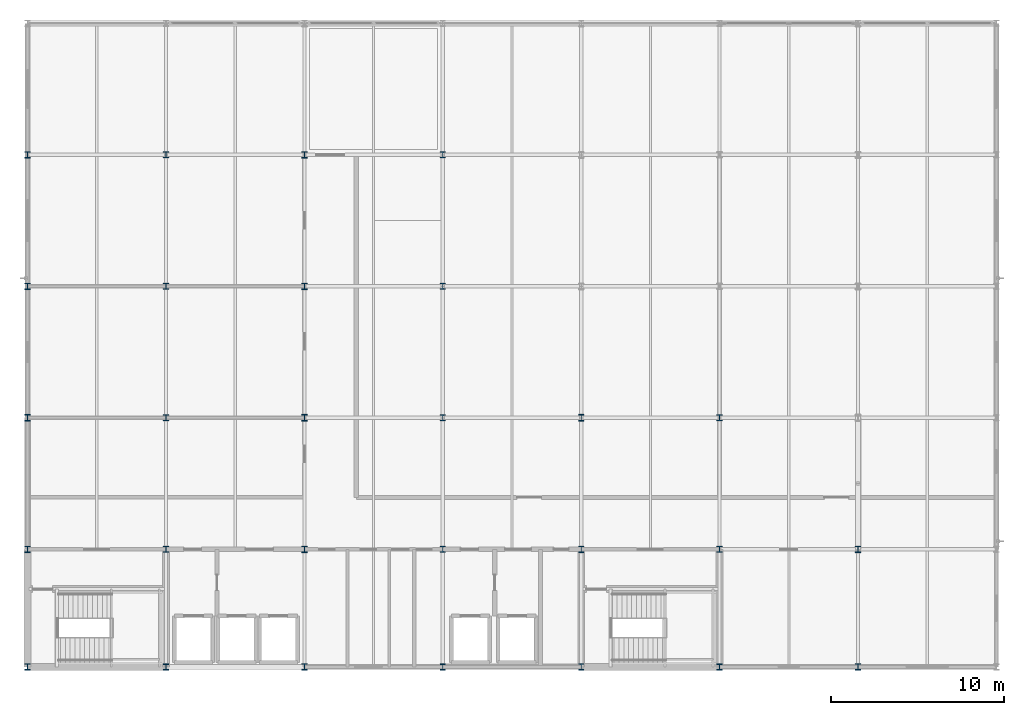
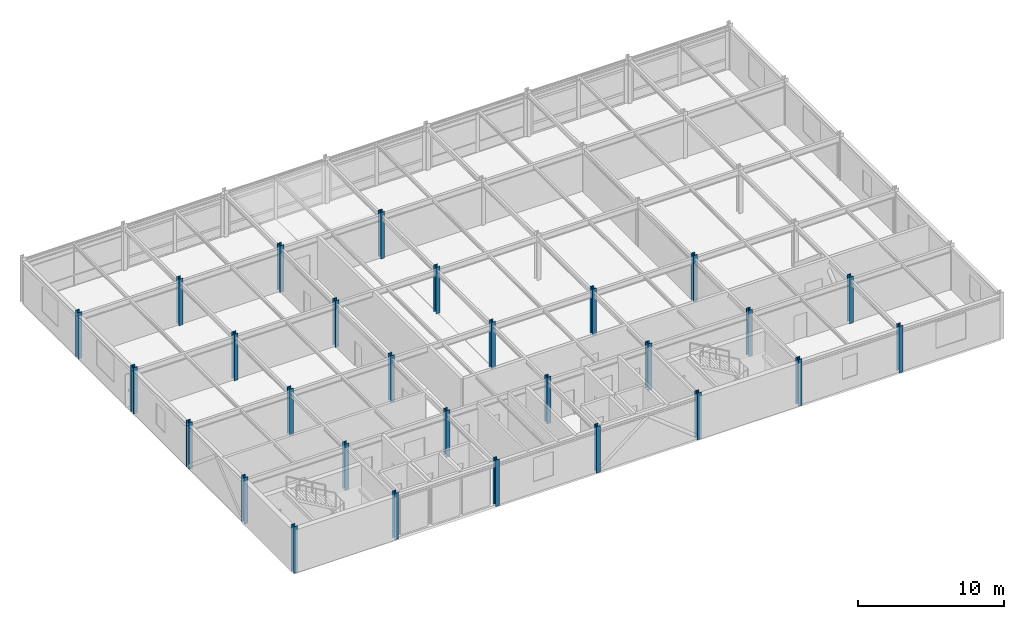
# One storey, part 1 of 15: 28 columns.
"""IFC4 building model written with IfcOpenShell, lengths in metres."""

from ifc_helpers import new_model, si_unit, direction, frame, origin, origin_2d, place, context, subcontext, project, spatial, i_section, extrude, material, material_profile, profile_set, type_object, element, save


model = new_model("IFC4")

# Units and contexts
model_context = context("Model", 3, precision=1e-05, world=origin(), true_north=direction((0.0, 1.0)))
body_context = subcontext(model_context, "Body", "Model", "MODEL_VIEW")
ifc_project = project(units=[si_unit("LENGTHUNIT", "METRE"), si_unit("AREAUNIT", "SQUARE_METRE"), si_unit("VOLUMEUNIT", "CUBIC_METRE"), si_unit("PLANEANGLEUNIT", "RADIAN"), si_unit("MASSUNIT", "GRAM", prefix="KILO")], contexts=[model_context])

# Site, building, storey
site_placement = place(None, origin())
site = spatial("IfcSite", under=ifc_project, at=site_placement, CompositionType="ELEMENT")
building_placement = place(site_placement, origin())
building = spatial("IfcBuilding", under=site, at=building_placement, Name="Shalkamar Park Central Library", CompositionType="ELEMENT")
storey_placement = place(building_placement, frame((0.0, 0.0, 47.699951171875)))
storey = spatial("IfcBuildingStorey", under=building, at=storey_placement, Name="L12", CompositionType="ELEMENT", Elevation=47.699951171875)

# Columns
ifc_material = material(Name="Steel S355", Category="steel")
ifc_material_profile_1 = material_profile(ifc_material, i_section(OverallWidth=0.30908203125, OverallDepth=0.35888671875, WebThickness=0.02099609375, FlangeThickness=0.0400390625, FilletRadius=0.027099609375, at=origin_2d()), Name="HEM 320")
ifc_profile_set_1 = profile_set([ifc_material_profile_1], Name="Steel S355")
column_type_1 = type_object("IfcColumnType", Name="Column Steel HEM320", PredefinedType="COLUMN", material=ifc_profile_set_1)
for number, where, z_axis, x_axis, name in (
    (1, (173.0, 248.39990234375, 0.0), (0.0, 0.0, 1.0), (1.0, 0.0, 0.0), "Column 08/B (L12)"),
    (2, (173.0, 255.199951171875, 0.0), (0.0, 0.0, 1.0), (1.0, 0.0, 0.0), "Column 08/C (L12)"),
    (3, (173.0, 262.800048828125, 0.0), (0.0, 0.0, 1.0), (1.0, 0.0, 0.0), "Column 08/D (L12)"),
    (4, (173.0, 270.39990234375, 0.0), (0.0, 0.0, 1.0), (1.0, 0.0, 0.0), "Column 08/E (L12)"),
    (5, (173.0, 278.0, 0.0), (0.0, 0.0, 1.0), (1.0, 0.0, 0.0), "Column 08/F (L12)"),
    (6, (189.0, 248.39990234375, 0.0), (0.0, 0.0, 1.0), (1.0, 0.0, 0.0), "Column 10/B (L12)"),
    (7, (189.0, 255.199951171875, 0.0), (0.0, 0.0, 1.0), (1.0, 0.0, 0.0), "Column 10/C (L12)"),
    (8, (189.0, 262.800048828125, 0.0), (0.0, 0.0, 1.0), (1.0, 0.0, 0.0), "Column 10/D (L12)"),
    (9, (189.0, 270.39990234375, 0.0), (0.0, 0.0, 1.0), (1.0, 0.0, 0.0), "Column 10/E (L12)"),
    (10, (189.0, 278.0, 0.0), (0.0, 0.0, 1.0), (1.0, 0.0, 0.0), "Column 10/F (L12)"),
    (11, (205.0, 248.39990234375, 0.0), (0.0, 0.0, 1.0), (1.0, 0.0, 0.0), "Column 12/B (L12)"),
    (12, (205.0, 255.199951171875, 0.0), (0.0, 0.0, 1.0), (1.0, 0.0, 0.0), "Column 12/C (L12)"),
    (13, (205.0, 262.800048828125, 0.0), (0.0, 0.0, 1.0), (1.0, 0.0, 0.0), "Column 12/D (L12)"),
):
    element("IfcColumn", number, at=place(storey_placement, frame(where, z_axis=z_axis, x_axis=x_axis)), inside=storey, type_object=column_type_1, Name=name, PredefinedType="COLUMN", context=body_context, shape_type="SweptSolid", body=[
        extrude(i_section(OverallWidth=0.30908203125, OverallDepth=0.35888671875, WebThickness=0.02099609375, FlangeThickness=0.0400390625, FilletRadius=0.027099609375, at=origin_2d()), origin(), (0.0, 0.0, 1.0), 3.900146484375),
    ])
ifc_material_profile_2 = material_profile(ifc_material, i_section(OverallWidth=0.30908203125, OverallDepth=0.376953125, WebThickness=0.02099609375, FlangeThickness=0.0400390625, FilletRadius=0.027099609375, at=origin_2d()), Name="HEM 340")
ifc_profile_set_2 = profile_set([ifc_material_profile_2], Name="Steel S355")
column_type_2 = type_object("IfcColumnType", Name="Column Steel HEM340", PredefinedType="COLUMN", material=ifc_profile_set_2)
for number, where, z_axis, x_axis, name in (
    (14, (165.0, 248.39990234375, 0.0), (0.0, 0.0, 1.0), (1.0, 0.0, 0.0), "Column 07/B (L12)"),
    (15, (165.0, 255.199951171875, 0.0), (0.0, 0.0, 1.0), (1.0, 0.0, 0.0), "Column 07/C (L12)"),
    (16, (165.0, 262.800048828125, 0.0), (0.0, 0.0, 1.0), (1.0, 0.0, 0.0), "Column 07/D (L12)"),
    (17, (165.0, 270.39990234375, 0.0), (0.0, 0.0, 1.0), (1.0, 0.0, 0.0), "Column 07/E (L12)"),
    (18, (165.0, 278.0, 0.0), (0.0, 0.0, 1.0), (1.0, 0.0, 0.0), "Column 07/F (L12)"),
    (19, (181.0, 248.39990234375, 0.0), (0.0, 0.0, 1.0), (1.0, 0.0, 0.0), "Column 09/B (L12)"),
    (20, (181.0, 255.199951171875, 0.0), (0.0, 0.0, 1.0), (1.0, 0.0, 0.0), "Column 09/C (L12)"),
    (21, (181.0, 262.800048828125, 0.0), (0.0, 0.0, 1.0), (1.0, 0.0, 0.0), "Column 09/D (L12)"),
    (22, (181.0, 270.39990234375, 0.0), (0.0, 0.0, 1.0), (1.0, 0.0, 0.0), "Column 09/E (L12)"),
    (23, (181.0, 278.0, 0.0), (0.0, 0.0, 1.0), (1.0, 0.0, 0.0), "Column 09/F (L12)"),
    (24, (197.0, 248.39990234375, 0.0), (0.0, 0.0, 1.0), (1.0, 0.0, 0.0), "Column 11/B (L12)"),
    (25, (197.0, 255.199951171875, 0.0), (0.0, 0.0, 1.0), (1.0, 0.0, 0.0), "Column 11/C (L12)"),
    (26, (197.0, 262.800048828125, 0.0), (0.0, 0.0, 1.0), (1.0, 0.0, 0.0), "Column 11/D (L12)"),
    (27, (213.0, 248.39990234375, 0.0), (0.0, 0.0, 1.0), (1.0, 0.0, 0.0), "Column 13/B (L12)"),
    (28, (213.0, 255.199951171875, 0.0), (0.0, 0.0, 1.0), (1.0, 0.0, 0.0), "Column 13/C (L12)"),
):
    element("IfcColumn", number, at=place(storey_placement, frame(where, z_axis=z_axis, x_axis=x_axis)), inside=storey, type_object=column_type_2, Name=name, PredefinedType="COLUMN", context=body_context, shape_type="SweptSolid", body=[
        extrude(i_section(OverallWidth=0.30908203125, OverallDepth=0.376953125, WebThickness=0.02099609375, FlangeThickness=0.0400390625, FilletRadius=0.027099609375, at=origin_2d()), origin(), (0.0, 0.0, 1.0), 3.900146484375),
    ])

save(model, "model.ifc")
